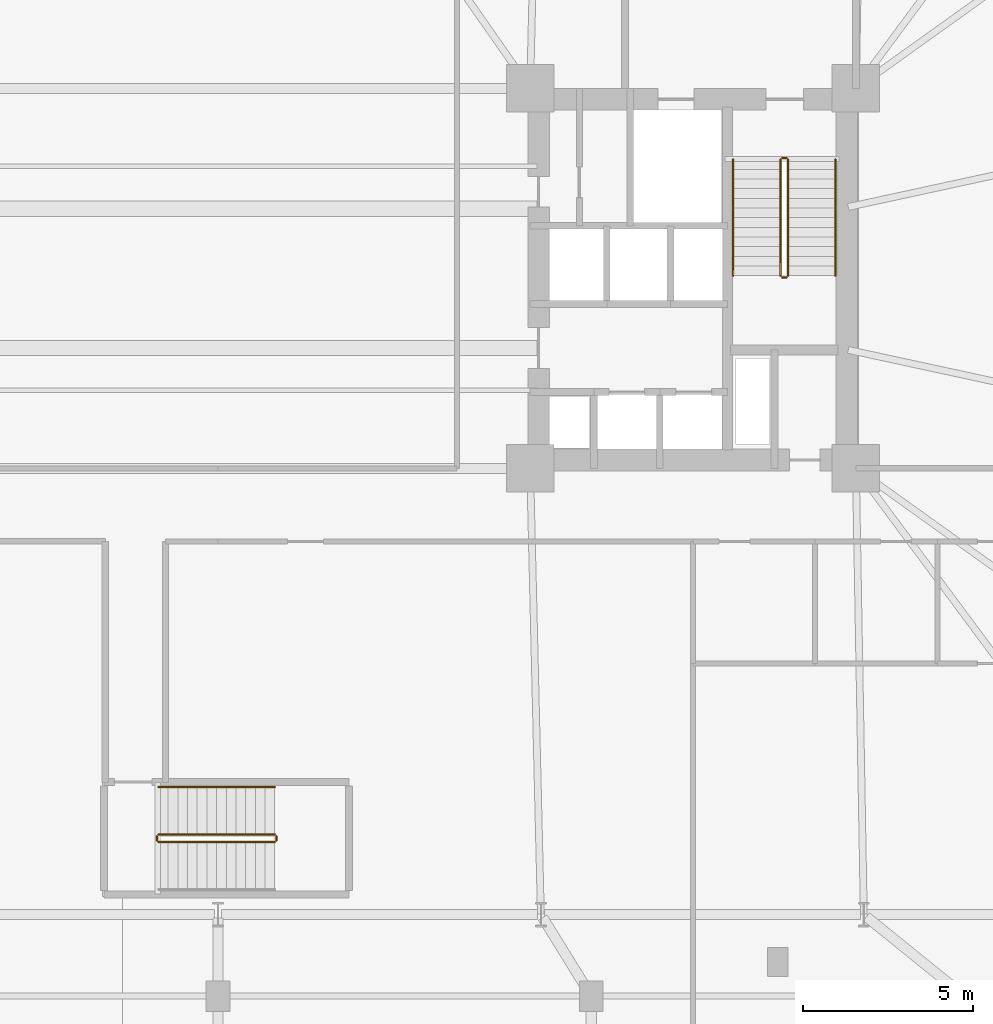
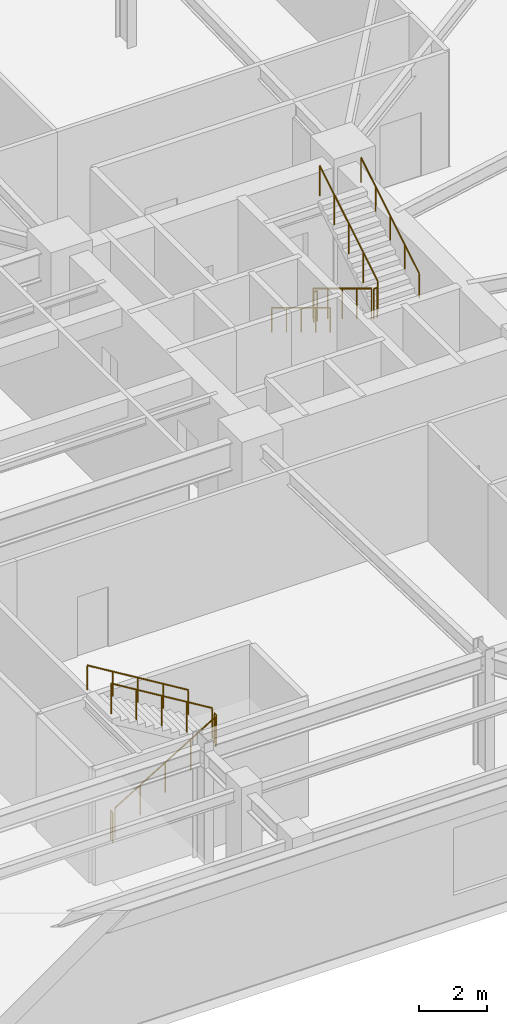
# One storey, part 22 of 23: 11 railings.
"""IFC4 building model written with IfcOpenShell, lengths in metres."""

from ifc_helpers import new_model, si_unit, direction, frame, origin, origin_2d, place, context, subcontext, project, spatial, circle, extrude, material, type_object, element, save


model = new_model("IFC4")

# Units and contexts
model_context = context("Model", 3, precision=1e-05, world=origin(), true_north=direction((0.0, 1.0)))
body_context = subcontext(model_context, "Body", "Model", "MODEL_VIEW")
ifc_project = project(units=[si_unit("LENGTHUNIT", "METRE"), si_unit("AREAUNIT", "SQUARE_METRE"), si_unit("VOLUMEUNIT", "CUBIC_METRE"), si_unit("PLANEANGLEUNIT", "RADIAN"), si_unit("MASSUNIT", "GRAM", prefix="KILO")], contexts=[model_context])

# Site, building, storey
site_placement = place(None, origin())
site = spatial("IfcSite", under=ifc_project, at=site_placement, CompositionType="ELEMENT")
building_placement = place(site_placement, origin())
building = spatial("IfcBuilding", under=site, at=building_placement, Name="Qobustan Lattice House", CompositionType="ELEMENT")
storey_placement = place(building_placement, frame((0.0, 0.0, 9.0)))
storey = spatial("IfcBuildingStorey", under=building, at=storey_placement, Name="L02", CompositionType="ELEMENT", Elevation=9.0)

# Railings
ifc_material_1 = material(Name="Brushed stainless steel handrail", Category="steel")
railing_type_1 = type_object("IfcRailingType", Name="RAL-HR-920", PredefinedType="HANDRAIL", material=ifc_material_1)
railing_1_placement = place(storey_placement, frame((15.179931640625, 3.5, 0.173095703125)))
element("IfcRailing", 1, at=railing_1_placement, inside=storey, type_object=railing_type_1, Name="L02 ST-E1 stair handrail 1", PredefinedType="HANDRAIL", context=body_context, shape_type="SweptSolid", body=[
    extrude(circle(Radius=0.02392578125, at=origin_2d()), frame((0.0, 0.0, 0.8759765625), z_axis=(0.0, -0.854729506542, 0.519073665916), x_axis=(1.0, 0.0, 0.0)), (0.0, 0.0, 1.0), 4.001220703125),
    extrude(circle(Radius=0.02099609375, at=origin_2d()), origin(), (0.0, 0.0, 1.0), 0.851806640625),
    extrude(circle(Radius=0.02099609375, at=origin_2d()), frame((0.0, -0.85498046875, 0.519287109375)), (0.0, 0.0, 1.0), 0.851806640625),
    extrude(circle(Radius=0.02099609375, at=origin_2d()), frame((0.0, -1.7099609375, 1.03857421875)), (0.0, 0.0, 1.0), 0.851806640625),
    extrude(circle(Radius=0.02099609375, at=origin_2d()), frame((0.0, -2.56494140625, 1.5576171875)), (0.0, 0.0, 1.0), 0.851806640625),
    extrude(circle(Radius=0.02099609375, at=origin_2d()), frame((0.0, -3.419921875, 2.076904296875)), (0.0, 0.0, 1.0), 0.851806640625),
])
railing_2_placement = place(storey_placement, frame((18.199951171875, 0.080078125, 2.423095703125)))
element("IfcRailing", 2, at=railing_2_placement, inside=storey, type_object=railing_type_1, Name="L02 ST-E1 stair handrail 2", PredefinedType="HANDRAIL", context=body_context, shape_type="SweptSolid", body=[
    extrude(circle(Radius=0.02392578125, at=origin_2d()), frame((0.0, 0.0, 0.8759765625), z_axis=(0.0, 0.854729506542, 0.519073665916), x_axis=(-1.0, 0.0, 0.0)), (0.0, 0.0, 1.0), 4.001220703125),
    extrude(circle(Radius=0.02099609375, at=origin_2d()), origin(), (0.0, 0.0, 1.0), 0.851806640625),
    extrude(circle(Radius=0.02099609375, at=origin_2d()), frame((0.0, 0.85498046875, 0.519287109375)), (0.0, 0.0, 1.0), 0.851806640625),
    extrude(circle(Radius=0.02099609375, at=origin_2d()), frame((0.0, 1.7099609375, 1.03857421875)), (0.0, 0.0, 1.0), 0.851806640625),
    extrude(circle(Radius=0.02099609375, at=origin_2d()), frame((0.0, 2.56494140625, 1.5576171875)), (0.0, 0.0, 1.0), 0.851806640625),
    extrude(circle(Radius=0.02099609375, at=origin_2d()), frame((0.0, 3.419921875, 2.076904296875)), (0.0, 0.0, 1.0), 0.851806640625),
])
railing_3_placement = place(storey_placement, frame((1.669921875, -14.989990234375, 2.423095703125)))
element("IfcRailing", 3, at=railing_3_placement, inside=storey, type_object=railing_type_1, Name="L02 ST-P1 stair handrail 2", PredefinedType="HANDRAIL", context=body_context, shape_type="SweptSolid", body=[
    extrude(circle(Radius=0.02392578125, at=origin_2d()), frame((0.0, 0.0, 0.8759765625), z_axis=(-0.854729506542, 0.0, 0.519073665916), x_axis=(0.0, -1.0, 0.0)), (0.0, 0.0, 1.0), 4.001220703125),
    extrude(circle(Radius=0.02099609375, at=origin_2d()), origin(), (0.0, 0.0, 1.0), 0.851806640625),
    extrude(circle(Radius=0.02099609375, at=origin_2d()), frame((-0.85498046875, 0.0, 0.519287109375)), (0.0, 0.0, 1.0), 0.851806640625),
    extrude(circle(Radius=0.02099609375, at=origin_2d()), frame((-1.7099609375, 0.0, 1.03857421875)), (0.0, 0.0, 1.0), 0.851806640625),
    extrude(circle(Radius=0.02099609375, at=origin_2d()), frame((-2.56494140625, 0.0, 1.5576171875)), (0.0, 0.0, 1.0), 0.851806640625),
    extrude(circle(Radius=0.02099609375, at=origin_2d()), frame((-3.419921875, 0.0, 2.076904296875)), (0.0, 0.0, 1.0), 0.851806640625),
])
ifc_material_2 = material(Name="Painted galvanized steel guardrail", Category="steel")
railing_type_2 = type_object("IfcRailingType", Name="RAL-STG-1150", PredefinedType="GUARDRAIL", material=ifc_material_2)
railing_4_placement = place(storey_placement, frame((16.580078125, 3.5, 0.173095703125)))
element("IfcRailing", 4, at=railing_4_placement, inside=storey, type_object=railing_type_2, Name="L02 ST-E1 stair guard 1", PredefinedType="GUARDRAIL", context=body_context, shape_type="SweptSolid", body=[
    extrude(circle(Radius=0.02392578125, at=origin_2d()), frame((0.0, 0.0, 1.076171875), z_axis=(0.0, -0.854729506542, 0.519073665916), x_axis=(1.0, 0.0, 0.0)), (0.0, 0.0, 1.0), 4.001220703125),
    extrude(circle(Radius=0.02099609375, at=origin_2d()), origin(), (0.0, 0.0, 1.0), 1.052001953125),
    extrude(circle(Radius=0.02099609375, at=origin_2d()), frame((0.0, -0.85498046875, 0.519287109375)), (0.0, 0.0, 1.0), 1.052001953125),
    extrude(circle(Radius=0.02099609375, at=origin_2d()), frame((0.0, -1.7099609375, 1.03857421875)), (0.0, 0.0, 1.0), 1.052001953125),
    extrude(circle(Radius=0.02099609375, at=origin_2d()), frame((0.0, -2.56494140625, 1.5576171875)), (0.0, 0.0, 1.0), 1.052001953125),
    extrude(circle(Radius=0.02099609375, at=origin_2d()), frame((0.0, -3.419921875, 2.076904296875)), (0.0, 0.0, 1.0), 1.052001953125),
])
railing_5_placement = place(storey_placement, frame((16.6298828125, 0.030029296875, 2.25)))
element("IfcRailing", 5, at=railing_5_placement, inside=storey, type_object=railing_type_2, Name="L02 ST-E1 stair guard 2", PredefinedType="GUARDRAIL", context=body_context, shape_type="SweptSolid", body=[
    extrude(circle(Radius=0.02392578125, at=origin_2d()), frame((0.0, 0.0, 1.076171875), z_axis=(1.0, 0.0, 0.0), x_axis=(0.0, 1.0, 0.0)), (0.0, 0.0, 1.0), 0.1201171875),
    extrude(circle(Radius=0.02099609375, at=origin_2d()), origin(), (0.0, 0.0, 1.0), 1.052001953125),
    extrude(circle(Radius=0.02099609375, at=origin_2d()), frame((0.1201171875, 0.0, 0.0)), (0.0, 0.0, 1.0), 1.052001953125),
])
railing_6_placement = place(storey_placement, frame((16.800048828125, 0.080078125, 2.423095703125)))
element("IfcRailing", 6, at=railing_6_placement, inside=storey, type_object=railing_type_2, Name="L02 ST-E1 stair guard 3", PredefinedType="GUARDRAIL", context=body_context, shape_type="SweptSolid", body=[
    extrude(circle(Radius=0.02392578125, at=origin_2d()), frame((0.0, 0.0, 1.076171875), z_axis=(0.0, 0.854729506542, 0.519073665916), x_axis=(-1.0, 0.0, 0.0)), (0.0, 0.0, 1.0), 4.001220703125),
    extrude(circle(Radius=0.02099609375, at=origin_2d()), origin(), (0.0, 0.0, 1.0), 1.052001953125),
    extrude(circle(Radius=0.02099609375, at=origin_2d()), frame((0.0, 0.85498046875, 0.519287109375)), (0.0, 0.0, 1.0), 1.052001953125),
    extrude(circle(Radius=0.02099609375, at=origin_2d()), frame((0.0, 1.7099609375, 1.03857421875)), (0.0, 0.0, 1.0), 1.052001953125),
    extrude(circle(Radius=0.02099609375, at=origin_2d()), frame((0.0, 2.56494140625, 1.5576171875)), (0.0, 0.0, 1.0), 1.052001953125),
    extrude(circle(Radius=0.02099609375, at=origin_2d()), frame((0.0, 3.419921875, 2.076904296875)), (0.0, 0.0, 1.0), 1.052001953125),
])
railing_7_placement = place(storey_placement, frame((16.6298828125, 3.550048828125, 0.0)))
element("IfcRailing", 7, at=railing_7_placement, inside=storey, type_object=railing_type_2, Name="L02 ST-E1 stair guard 4", PredefinedType="GUARDRAIL", context=body_context, shape_type="SweptSolid", body=[
    extrude(circle(Radius=0.02392578125, at=origin_2d()), frame((0.0, 0.0, 1.076171875), z_axis=(1.0, 0.0, 0.0), x_axis=(0.0, 1.0, 0.0)), (0.0, 0.0, 1.0), 0.1201171875),
    extrude(circle(Radius=0.02099609375, at=origin_2d()), origin(), (0.0, 0.0, 1.0), 1.052001953125),
    extrude(circle(Radius=0.02099609375, at=origin_2d()), frame((0.1201171875, 0.0, 0.0)), (0.0, 0.0, 1.0), 1.052001953125),
])
railing_8_placement = place(storey_placement, frame((-1.75, -16.610107421875, 0.173095703125)))
element("IfcRailing", 8, at=railing_8_placement, inside=storey, type_object=railing_type_2, Name="L02 ST-P1 stair guard 1", PredefinedType="GUARDRAIL", context=body_context, shape_type="SweptSolid", body=[
    extrude(circle(Radius=0.02392578125, at=origin_2d()), frame((0.0, 0.0, 1.076171875), z_axis=(0.854729506542, 0.0, 0.519073665916), x_axis=(0.0, 1.0, 0.0)), (0.0, 0.0, 1.0), 4.001220703125),
    extrude(circle(Radius=0.02099609375, at=origin_2d()), origin(), (0.0, 0.0, 1.0), 1.052001953125),
    extrude(circle(Radius=0.02099609375, at=origin_2d()), frame((0.85498046875, 0.0, 0.519287109375)), (0.0, 0.0, 1.0), 1.052001953125),
    extrude(circle(Radius=0.02099609375, at=origin_2d()), frame((1.7099609375, 0.0, 1.03857421875)), (0.0, 0.0, 1.0), 1.052001953125),
    extrude(circle(Radius=0.02099609375, at=origin_2d()), frame((2.56494140625, 0.0, 1.5576171875)), (0.0, 0.0, 1.0), 1.052001953125),
    extrude(circle(Radius=0.02099609375, at=origin_2d()), frame((3.419921875, 0.0, 2.076904296875)), (0.0, 0.0, 1.0), 1.052001953125),
])
railing_9_placement = place(storey_placement, frame((1.719970703125, -16.56005859375, 2.25)))
element("IfcRailing", 9, at=railing_9_placement, inside=storey, type_object=railing_type_2, Name="L02 ST-P1 stair guard 2", PredefinedType="GUARDRAIL", context=body_context, shape_type="SweptSolid", body=[
    extrude(circle(Radius=0.02392578125, at=origin_2d()), frame((0.0, 0.0, 1.076171875), z_axis=(0.0, 1.0, 0.0), x_axis=(-1.0, 0.0, 0.0)), (0.0, 0.0, 1.0), 0.1201171875),
    extrude(circle(Radius=0.02099609375, at=origin_2d()), origin(), (0.0, 0.0, 1.0), 1.052001953125),
    extrude(circle(Radius=0.02099609375, at=origin_2d()), frame((0.0, 0.1201171875, 0.0)), (0.0, 0.0, 1.0), 1.052001953125),
])
railing_10_placement = place(storey_placement, frame((1.669921875, -16.389892578125, 2.423095703125)))
element("IfcRailing", 10, at=railing_10_placement, inside=storey, type_object=railing_type_2, Name="L02 ST-P1 stair guard 3", PredefinedType="GUARDRAIL", context=body_context, shape_type="SweptSolid", body=[
    extrude(circle(Radius=0.02392578125, at=origin_2d()), frame((0.0, 0.0, 1.076171875), z_axis=(-0.854729506542, 0.0, 0.519073665916), x_axis=(0.0, -1.0, 0.0)), (0.0, 0.0, 1.0), 4.001220703125),
    extrude(circle(Radius=0.02099609375, at=origin_2d()), origin(), (0.0, 0.0, 1.0), 1.052001953125),
    extrude(circle(Radius=0.02099609375, at=origin_2d()), frame((-0.85498046875, 0.0, 0.519287109375)), (0.0, 0.0, 1.0), 1.052001953125),
    extrude(circle(Radius=0.02099609375, at=origin_2d()), frame((-1.7099609375, 0.0, 1.03857421875)), (0.0, 0.0, 1.0), 1.052001953125),
    extrude(circle(Radius=0.02099609375, at=origin_2d()), frame((-2.56494140625, 0.0, 1.5576171875)), (0.0, 0.0, 1.0), 1.052001953125),
    extrude(circle(Radius=0.02099609375, at=origin_2d()), frame((-3.419921875, 0.0, 2.076904296875)), (0.0, 0.0, 1.0), 1.052001953125),
])
railing_11_placement = place(storey_placement, frame((-1.800048828125, -16.56005859375, 0.0)))
element("IfcRailing", 11, at=railing_11_placement, inside=storey, type_object=railing_type_2, Name="L02 ST-P1 stair guard 4", PredefinedType="GUARDRAIL", context=body_context, shape_type="SweptSolid", body=[
    extrude(circle(Radius=0.02392578125, at=origin_2d()), frame((0.0, 0.0, 1.076171875), z_axis=(0.0, 1.0, 0.0), x_axis=(-1.0, 0.0, 0.0)), (0.0, 0.0, 1.0), 0.1201171875),
    extrude(circle(Radius=0.02099609375, at=origin_2d()), origin(), (0.0, 0.0, 1.0), 1.052001953125),
    extrude(circle(Radius=0.02099609375, at=origin_2d()), frame((0.0, 0.1201171875, 0.0)), (0.0, 0.0, 1.0), 1.052001953125),
])

save(model, "model.ifc")
